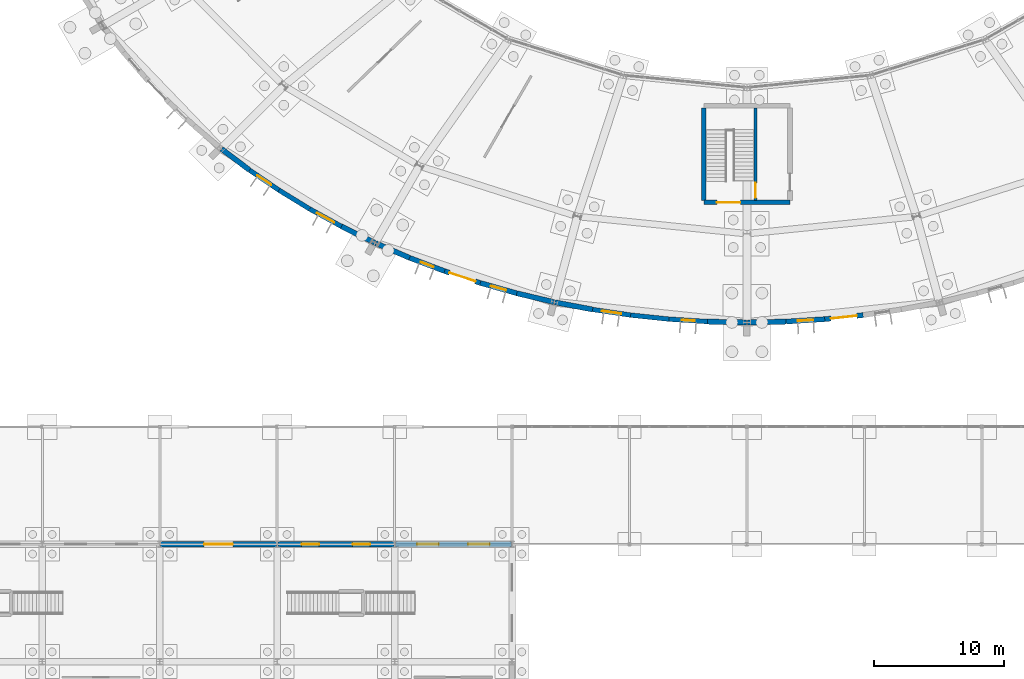
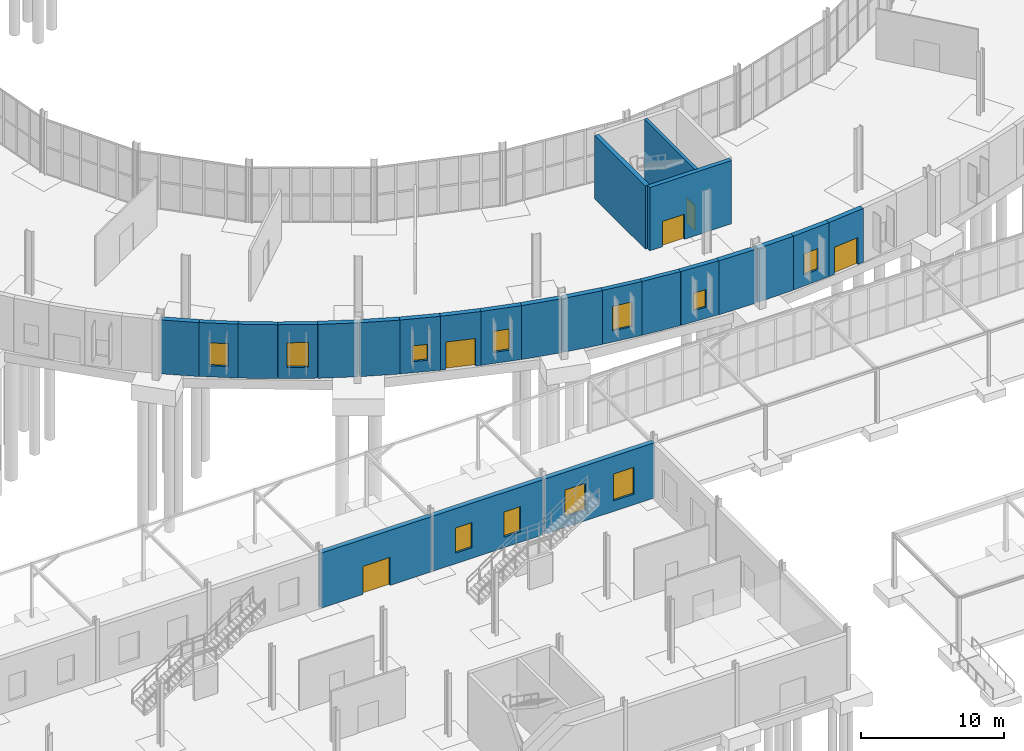
# One storey, part 84 of 118: 24 walls, 11 windows, 5 doors, 16 openings.
"""IFC4 building model written with IfcOpenShell, lengths in metres."""

from ifc_helpers import new_model, si_unit, direction, frame, frame_2d, origin, place, context, subcontext, project, spatial, rectangle, extrude, material, layer, layer_set, type_object, element, fill, save


model = new_model("IFC4")

# Units and contexts
model_context = context("Model", 3, precision=1e-05, world=origin(), true_north=direction((0.0, 1.0)))
body_context = subcontext(model_context, "Body", "Model", "MODEL_VIEW")
ifc_project = project(units=[si_unit("LENGTHUNIT", "METRE"), si_unit("AREAUNIT", "SQUARE_METRE"), si_unit("VOLUMEUNIT", "CUBIC_METRE"), si_unit("PLANEANGLEUNIT", "RADIAN"), si_unit("MASSUNIT", "GRAM", prefix="KILO")], contexts=[model_context])

# Site, building, storey
site_placement = place(None, origin())
site = spatial("IfcSite", under=ifc_project, at=site_placement, CompositionType="ELEMENT")
building_placement = place(site_placement, origin())
building = spatial("IfcBuilding", under=site, at=building_placement, Name="Kildeholm Park Wholesale Market", CompositionType="ELEMENT")
storey_placement = place(building_placement, origin())
storey = spatial("IfcBuildingStorey", under=building, at=storey_placement, Name="L00", CompositionType="ELEMENT", Elevation=0.0)

# Wall, opening, window
ifc_material_1 = material(Name="Red Danish clinker brick masonry with Concrete C35/45 backing", Category="masonry")
ifc_layer_1 = layer(ifc_material_1, 0.360107421875)
ifc_layer_set_1 = layer_set([ifc_layer_1], Name="Red Danish clinker brick masonry with Concrete C35/45 backing")
wall_type_1 = type_object("IfcWallType", Name="Exterior wall W-EX1 360 mm", PredefinedType="SOLIDWALL", material=ifc_layer_set_1)
wall_1_placement = place(storey_placement, frame((60.87890625, 55.673095703125, 0.0), z_axis=(0.0, 0.0, 1.0), x_axis=(0.826422172457, -0.563050968271, 0.0)))
wall_1 = element("IfcWall", 1, at=wall_1_placement, inside=storey, type_object=wall_type_1, Name="Produce ring outer wall 16.2 WL-0127", PredefinedType="SOLIDWALL", context=body_context, shape_type="SweptSolid", body=[
    extrude(rectangle(XDim=2.72998046875, YDim=0.360107421875, at=frame_2d((1.364990234375, 0.0))), origin(), (0.0, 0.0, 1.0), 4.60009765625),
])
opening_1_placement = place(wall_1_placement, frame((0.715087890625, 0.0, 0.949951171875)))
opening_1 = element("IfcOpeningElement", 2, at=opening_1_placement, cuts=wall_1, Name="Opening WN-20", PredefinedType="OPENING", context=body_context, shape_type="SweptSolid", body=[
    extrude(rectangle(XDim=1.300048828125, YDim=1.949951171875, at=frame_2d((0.64990234375, 0.97509765625))), frame((0.0, 0.18994140625, 0.0), z_axis=(0.0, -1.0, 0.0), x_axis=(1.0, 0.0, 0.0)), (0.0, 0.0, 1.0), 0.380126953125),
])
ifc_material_2 = material(Name="Thermally broken aluminium and triple-glazed low-E glass", Category="aluminium")
window_type_1 = type_object("IfcWindowType", Name="Window WN-20 1300x1950", PartitioningType="DOUBLE_PANEL_VERTICAL", PredefinedType="WINDOW", material=ifc_material_2)
window_1_placement = place(opening_1_placement, origin())
window_1 = element("IfcWindow", 3, at=window_1_placement, inside=storey, type_object=window_type_1, Name="Produce hall arcade window 16.1 WIN-0027", OverallHeight=1.949951171875, OverallWidth=1.300048828125, PartitioningType="SINGLE_PANEL", PredefinedType="WINDOW", context=body_context, shape_type="SweptSolid", body=[
    extrude(rectangle(XDim=1.300048828125, YDim=1.949951171875, at=frame_2d((0.64990234375, 0.97509765625))), frame((0.0, 0.030029296875, 0.0), z_axis=(0.0, -1.0, 0.0), x_axis=(1.0, 0.0, 0.0)), (0.0, 0.0, 1.0), 0.06005859375),
])
fill(opening_1, window_1)

# Wall
wall_2_placement = place(storey_placement, frame((63.135009765625, 54.135986328125, 0.0), z_axis=(0.0, 0.0, 1.0), x_axis=(0.852743581926, -0.522329765075, 0.0)))
element("IfcWall", 4, at=wall_2_placement, inside=storey, type_object=wall_type_1, Name="Produce ring outer wall 16.3 WL-0128", PredefinedType="SOLIDWALL", context=body_context, shape_type="SweptSolid", body=[
    extrude(rectangle(XDim=2.760498046875, YDim=0.360107421875, at=frame_2d((1.38037109375, 0.0))), origin(), (0.0, 0.0, 1.0), 4.60009765625),
])

# Wall, opening, window
wall_3_placement = place(storey_placement, frame((65.489013671875, 52.694091796875, 0.0), z_axis=(0.0, 0.0, 1.0), x_axis=(0.876631400762, -0.481162537193, 0.0)))
wall_3 = element("IfcWall", 5, at=wall_3_placement, inside=storey, type_object=wall_type_1, Name="Produce ring outer wall 16.4 WL-0129", PredefinedType="SOLIDWALL", context=body_context, shape_type="SweptSolid", body=[
    extrude(rectangle(XDim=2.7890625, YDim=0.360107421875, at=frame_2d((1.39453125, 0.0))), origin(), (0.0, 0.0, 1.0), 4.60009765625),
])
opening_2_placement = place(wall_3_placement, frame((0.64501953125, 0.0, 0.949951171875)))
opening_2 = element("IfcOpeningElement", 6, at=opening_2_placement, cuts=wall_3, Name="Opening WN-01", PredefinedType="OPENING", context=body_context, shape_type="SweptSolid", body=[
    extrude(rectangle(XDim=1.5, YDim=2.10009765625, at=frame_2d((0.75, 1.050048828125))), frame((0.0, 0.18994140625, 0.0), z_axis=(0.0, -1.0, 0.0), x_axis=(1.0, 0.0, 0.0)), (0.0, 0.0, 1.0), 0.380126953125),
])
window_type_2 = type_object("IfcWindowType", Name="Window WN-01 1500x2100", PartitioningType="DOUBLE_PANEL_VERTICAL", PredefinedType="WINDOW", material=ifc_material_2)
window_2_placement = place(opening_2_placement, origin())
window_2 = element("IfcWindow", 7, at=window_2_placement, inside=storey, type_object=window_type_2, Name="Produce hall arcade window 16.3 WIN-0028", OverallHeight=2.10009765625, OverallWidth=1.5, PartitioningType="SINGLE_PANEL", PredefinedType="WINDOW", context=body_context, shape_type="SweptSolid", body=[
    extrude(rectangle(XDim=1.5, YDim=2.10009765625, at=frame_2d((0.75, 1.050048828125))), frame((0.0, 0.030029296875, 0.0), z_axis=(0.0, -1.0, 0.0), x_axis=(1.0, 0.0, 0.0)), (0.0, 0.0, 1.0), 0.06005859375),
])
fill(opening_2, window_2)

wall_4_placement = place(storey_placement, frame((87.173095703125, 44.989990234375, 0.0), z_axis=(0.0, 0.0, 1.0), x_axis=(0.98927134979, -0.146089686444, 0.0)))
wall_4 = element("IfcWall", 8, at=wall_4_placement, inside=storey, type_object=wall_type_1, Name="Produce ring outer wall 18.2 WL-0145", PredefinedType="SOLIDWALL", context=body_context, shape_type="SweptSolid", body=[
    extrude(rectangle(XDim=2.94970703125, YDim=0.360107421875, at=frame_2d((1.474853515625, 0.0))), origin(), (0.0, 0.0, 1.0), 4.60009765625),
])
opening_3_placement = place(wall_4_placement, frame((0.72509765625, 0.0, 0.949951171875)))
opening_3 = element("IfcOpeningElement", 9, at=opening_3_placement, cuts=wall_4, Name="Opening WN-01", PredefinedType="OPENING", context=body_context, shape_type="SweptSolid", body=[
    extrude(rectangle(XDim=1.5, YDim=2.10009765625, at=frame_2d((0.75, 1.050048828125))), frame((0.0, 0.18994140625, 0.0), z_axis=(0.0, -1.0, 0.0), x_axis=(1.0, 0.0, 0.0)), (0.0, 0.0, 1.0), 0.380126953125),
])
window_3_placement = place(opening_3_placement, origin())
window_3 = element("IfcWindow", 10, at=window_3_placement, inside=storey, type_object=window_type_2, Name="Produce hall arcade window 18.1 WIN-0031", OverallHeight=2.10009765625, OverallWidth=1.5, PartitioningType="SINGLE_PANEL", PredefinedType="WINDOW", context=body_context, shape_type="SweptSolid", body=[
    extrude(rectangle(XDim=1.5, YDim=2.10009765625, at=frame_2d((0.75, 1.050048828125))), frame((0.0, 0.030029296875, 0.0), z_axis=(0.0, -1.0, 0.0), x_axis=(1.0, 0.0, 0.0)), (0.0, 0.0, 1.0), 0.06005859375),
])
fill(opening_3, window_3)

# Wall
wall_5_placement = place(storey_placement, frame((90.091064453125, 44.55908203125, 0.0), z_axis=(0.0, 0.0, 1.0), x_axis=(0.994529838675, -0.10445286011, 0.0)))
element("IfcWall", 11, at=wall_5_placement, inside=storey, type_object=wall_type_1, Name="Produce ring outer wall 18.3 WL-0146", PredefinedType="SOLIDWALL", context=body_context, shape_type="SweptSolid", body=[
    extrude(rectangle(XDim=2.958984375, YDim=0.360107421875, at=frame_2d((1.4794921875, 0.0))), origin(), (0.0, 0.0, 1.0), 4.60009765625),
])

# Wall, opening, window
wall_6_placement = place(storey_placement, frame((93.033935546875, 44.25, 0.0), z_axis=(0.0, 0.0, 1.0), x_axis=(0.998008759952, -0.063075471132, 0.0)))
wall_6 = element("IfcWall", 12, at=wall_6_placement, inside=storey, type_object=wall_type_1, Name="Produce ring outer wall 18.4 WL-0147", PredefinedType="SOLIDWALL", context=body_context, shape_type="SweptSolid", body=[
    extrude(rectangle(XDim=2.96484375, YDim=0.360107421875, at=frame_2d((1.482421875, 0.0))), origin(), (0.0, 0.0, 1.0), 4.60009765625),
])
opening_4_placement = place(wall_6_placement, frame((0.98193359375, 0.0, 0.949951171875)))
opening_4 = element("IfcOpeningElement", 13, at=opening_4_placement, cuts=wall_6, Name="Opening WN-09", PredefinedType="OPENING", context=body_context, shape_type="SweptSolid", body=[
    extrude(rectangle(XDim=1.0, YDim=1.5, at=frame_2d((0.5, 0.75))), frame((0.0, 0.18994140625, 0.0), z_axis=(0.0, -1.0, 0.0), x_axis=(1.0, 0.0, 0.0)), (0.0, 0.0, 1.0), 0.380126953125),
])
window_type_3 = type_object("IfcWindowType", Name="Window WN-09 1000x1500", PartitioningType="SINGLE_PANEL", PredefinedType="WINDOW", material=ifc_material_2)
window_4_placement = place(opening_4_placement, origin())
window_4 = element("IfcWindow", 14, at=window_4_placement, inside=storey, type_object=window_type_3, Name="Produce hall arcade window 18.3 WIN-0032", OverallHeight=1.5, OverallWidth=1.0, PartitioningType="SINGLE_PANEL", PredefinedType="WINDOW", context=body_context, shape_type="SweptSolid", body=[
    extrude(rectangle(XDim=1.0, YDim=1.5, at=frame_2d((0.5, 0.75))), frame((0.0, 0.030029296875, 0.0), z_axis=(0.0, -1.0, 0.0), x_axis=(1.0, 0.0, 0.0)), (0.0, 0.0, 1.0), 0.06005859375),
])
fill(opening_4, window_4)

# Walls
ifc_material_3 = material(Name="Bornholm granite stone plinth and Concrete C35/45 wall", Category="masonry")
ifc_layer_2 = layer(ifc_material_3, 0.39990234375)
ifc_layer_set_2 = layer_set([ifc_layer_2], Name="Bornholm granite stone plinth and Concrete C35/45 wall")
wall_type_2 = type_object("IfcWallType", Name="Exterior wall W-EX2 400 mm", PredefinedType="SOLIDWALL", material=ifc_layer_set_2)
wall_7_placement = place(storey_placement, frame((58.72509765625, 57.302001953125, 0.0), z_axis=(0.0, 0.0, 1.0), x_axis=(0.797585068324, -0.603206481054, 0.0)))
element("IfcWall", 15, at=wall_7_placement, inside=storey, type_object=wall_type_2, Name="Produce ring outer wall 16.1 WL-0126", PredefinedType="SOLIDWALL", context=body_context, shape_type="SweptSolid", body=[
    extrude(rectangle(XDim=2.700439453125, YDim=0.39990234375, at=frame_2d((1.35009765625, 0.0))), origin(), (0.0, 0.0, 1.0), 4.60009765625),
])
wall_8_placement = place(storey_placement, frame((67.93408203125, 51.35205078125, 0.0), z_axis=(0.0, 0.0, 1.0), x_axis=(0.898004688797, -0.439985884886, 0.0)))
element("IfcWall", 16, at=wall_8_placement, inside=storey, type_object=wall_type_2, Name="Produce ring outer wall 16.5 WL-0130", PredefinedType="SOLIDWALL", context=body_context, shape_type="SweptSolid", body=[
    extrude(rectangle(XDim=2.81591796875, YDim=0.39990234375, at=frame_2d((1.407958984375, 0.0))), origin(), (0.0, 0.0, 1.0), 4.60009765625),
])
wall_9_placement = place(storey_placement, frame((70.535888671875, 50.0791015625, 0.0), z_axis=(0.0, 0.0, 1.0), x_axis=(0.917744542698, -0.397171190229, 0.0)))
element("IfcWall", 17, at=wall_9_placement, inside=storey, type_object=wall_type_2, Name="Produce ring outer wall 17.1 WL-0135", PredefinedType="SOLIDWALL", context=body_context, shape_type="SweptSolid", body=[
    extrude(rectangle(XDim=2.843017578125, YDim=0.39990234375, at=frame_2d((1.42138671875, 0.0))), origin(), (0.0, 0.0, 1.0), 4.60009765625),
])
wall_10_placement = place(storey_placement, frame((81.363037109375, 46.23291015625, 0.0), z_axis=(0.0, 0.0, 1.0), x_axis=(0.973061058114, -0.230547559481, 0.0)))
element("IfcWall", 18, at=wall_10_placement, inside=storey, type_object=wall_type_2, Name="Produce ring outer wall 17.5 WL-0139", PredefinedType="SOLIDWALL", context=body_context, shape_type="SweptSolid", body=[
    extrude(rectangle(XDim=2.922607421875, YDim=0.39990234375, at=frame_2d((1.46142578125, 0.0))), origin(), (0.0, 0.0, 1.0), 4.60009765625),
])
wall_11_placement = place(storey_placement, frame((84.285888671875, 45.5419921875, 0.0), z_axis=(0.0, 0.0, 1.0), x_axis=(0.982209662349, -0.187787590612, 0.0)))
element("IfcWall", 19, at=wall_11_placement, inside=storey, type_object=wall_type_2, Name="Produce ring outer wall 18.1 WL-0144", PredefinedType="SOLIDWALL", context=body_context, shape_type="SweptSolid", body=[
    extrude(rectangle(XDim=2.939453125, YDim=0.39990234375, at=frame_2d((1.4697265625, 0.0))), origin(), (0.0, 0.0, 1.0), 4.60009765625),
])
for number, where, z_axis, x_axis, name in (
    (20, (95.992919921875, 44.06298828125, 0.0), (0.0, 0.0, 1.0), (0.999774733997, -0.021224543847, 0.0), "Produce ring outer wall 18.5 WL-0148"),
    (21, (99.0400390625, 44.0, 0.0), (0.0, 0.0, 1.0), (0.999774733997, 0.021224543847, 0.0), "Produce ring outer wall 19.1 WL-0153"),
):
    element("IfcWall", number, at=place(storey_placement, frame(where, z_axis=z_axis, x_axis=x_axis)), inside=storey, type_object=wall_type_2, Name=name, PredefinedType="SOLIDWALL", context=body_context, shape_type="SweptSolid", body=[
        extrude(rectangle(XDim=2.9677734375, YDim=0.39990234375, at=frame_2d((1.48388671875, 0.0))), origin(), (0.0, 0.0, 1.0), 4.60009765625),
    ])

# Wall, opening, door
wall_12_placement = place(storey_placement, frame((54.06005859375, 27.0, 0.0), z_axis=(0.0, 0.0, 1.0), x_axis=(1.0, 0.0, 0.0)))
wall_12 = element("IfcWall", 22, at=wall_12_placement, inside=storey, type_object=wall_type_2, Name="Exterior wall V5W-L00-N.6 WL-0508", PredefinedType="SOLIDWALL", context=body_context, shape_type="SweptSolid", body=[
    extrude(rectangle(XDim=8.8798828125, YDim=0.39990234375, at=frame_2d((4.43994140625, 0.0))), origin(), (0.0, 0.0, 1.0), 4.699951171875),
])
opening_5_placement = place(wall_12_placement, frame((3.340087890625, 0.0, 0.0)))
opening_5 = element("IfcOpeningElement", 23, at=opening_5_placement, cuts=wall_12, Name="Opening D-EX03", PredefinedType="OPENING", context=body_context, shape_type="SweptSolid", body=[
    extrude(rectangle(XDim=2.199951171875, YDim=2.39990234375, at=frame_2d((1.10009765625, 1.199951171875))), frame((0.0, 0.2099609375, 0.0), z_axis=(0.0, -1.0, 0.0), x_axis=(1.0, 0.0, 0.0)), (0.0, 0.0, 1.0), 0.419921875),
])
ifc_material_4 = material(Name="Anodised aluminium and safety glass", Category="aluminium")
door_type_1 = type_object("IfcDoorType", Name="Exterior door D-EX03 2200x2400", OperationType="NOTDEFINED", PredefinedType="DOOR", material=ifc_material_4)
door_1_placement = place(opening_5_placement, origin())
door_1 = element("IfcDoor", 24, at=door_1_placement, inside=storey, type_object=door_type_1, Name="Door V5W-L00-N.6 DR-0054 WL-0508", OperationType="DOUBLE_DOOR_SINGLE_SWING", OverallHeight=2.39990234375, OverallWidth=2.199951171875, PredefinedType="DOOR", context=body_context, shape_type="SweptSolid", body=[
    extrude(rectangle(XDim=2.199951171875, YDim=2.39990234375, at=frame_2d((1.10009765625, 1.199951171875))), frame((0.0, 0.02490234375, 0.0), z_axis=(0.0, -1.0, 0.0), x_axis=(1.0, 0.0, 0.0)), (0.0, 0.0, 1.0), 0.050048828125),
])
fill(opening_5, door_1)

# Wall, openings, windows
wall_13_placement = place(storey_placement, frame((63.06005859375, 27.0, 0.0), z_axis=(0.0, 0.0, 1.0), x_axis=(1.0, 0.0, 0.0)))
wall_13 = element("IfcWall", 25, at=wall_13_placement, inside=storey, type_object=wall_type_2, Name="Exterior wall V5W-L00-N.7 WL-0509", PredefinedType="SOLIDWALL", context=body_context, shape_type="SweptSolid", body=[
    extrude(rectangle(XDim=8.8798828125, YDim=0.39990234375, at=frame_2d((4.43994140625, 0.0))), origin(), (0.0, 0.0, 1.0), 4.699951171875),
])
opening_6_placement = place(wall_13_placement, frame((1.81103515625, 0.0, 0.89990234375)))
opening_6 = element("IfcOpeningElement", 26, at=opening_6_placement, cuts=wall_13, Name="Opening WN-33", PredefinedType="OPENING", context=body_context, shape_type="SweptSolid", body=[
    extrude(rectangle(XDim=1.35009765625, YDim=2.14990234375, at=frame_2d((0.675048828125, 1.074951171875))), frame((0.0, 0.2099609375, 0.0), z_axis=(0.0, -1.0, 0.0), x_axis=(1.0, 0.0, 0.0)), (0.0, 0.0, 1.0), 0.419921875),
])
opening_7_placement = place(wall_13_placement, frame((5.718994140625, 0.0, 0.89990234375)))
opening_7 = element("IfcOpeningElement", 27, at=opening_7_placement, cuts=wall_13, Name="Opening WN-33", PredefinedType="OPENING", context=body_context, shape_type="SweptSolid", body=[
    extrude(rectangle(XDim=1.35009765625, YDim=2.14990234375, at=frame_2d((0.675048828125, 1.074951171875))), frame((0.0, 0.2099609375, 0.0), z_axis=(0.0, -1.0, 0.0), x_axis=(1.0, 0.0, 0.0)), (0.0, 0.0, 1.0), 0.419921875),
])
window_type_4 = type_object("IfcWindowType", Name="Window WN-33 1350x2150", PartitioningType="DOUBLE_PANEL_VERTICAL", PredefinedType="WINDOW", material=ifc_material_2)
window_5_placement = place(opening_6_placement, origin())
window_5 = element("IfcWindow", 28, at=window_5_placement, inside=storey, type_object=window_type_4, Name="Window V5W-L00-N.7.1 WIN-0295", OverallHeight=2.14990234375, OverallWidth=1.35009765625, PartitioningType="SINGLE_PANEL", PredefinedType="WINDOW", context=body_context, shape_type="SweptSolid", body=[
    extrude(rectangle(XDim=1.35009765625, YDim=2.14990234375, at=frame_2d((0.675048828125, 1.074951171875))), frame((0.0, 0.030029296875, 0.0), z_axis=(0.0, -1.0, 0.0), x_axis=(1.0, 0.0, 0.0)), (0.0, 0.0, 1.0), 0.06005859375),
])
fill(opening_6, window_5)
window_6_placement = place(opening_7_placement, origin())
window_6 = element("IfcWindow", 29, at=window_6_placement, inside=storey, type_object=window_type_4, Name="Window V5W-L00-N.7.2 WIN-0296", OverallHeight=2.14990234375, OverallWidth=1.35009765625, PartitioningType="SINGLE_PANEL", PredefinedType="WINDOW", context=body_context, shape_type="SweptSolid", body=[
    extrude(rectangle(XDim=1.35009765625, YDim=2.14990234375, at=frame_2d((0.675048828125, 1.074951171875))), frame((0.0, 0.030029296875, 0.0), z_axis=(0.0, -1.0, 0.0), x_axis=(1.0, 0.0, 0.0)), (0.0, 0.0, 1.0), 0.06005859375),
])
fill(opening_7, window_6)

wall_14_placement = place(storey_placement, frame((72.06005859375, 27.0, 0.0), z_axis=(0.0, 0.0, 1.0), x_axis=(1.0, 0.0, 0.0)))
wall_14 = element("IfcWall", 30, at=wall_14_placement, inside=storey, type_object=wall_type_2, Name="Exterior wall V5W-L00-N.8 WL-0510", PredefinedType="SOLIDWALL", context=body_context, shape_type="SweptSolid", body=[
    extrude(rectangle(XDim=8.8798828125, YDim=0.39990234375, at=frame_2d((4.43994140625, 0.0))), origin(), (0.0, 0.0, 1.0), 4.699951171875),
])
opening_8_placement = place(wall_14_placement, frame((1.660888671875, 0.0, 0.89990234375)))
opening_8 = element("IfcOpeningElement", 31, at=opening_8_placement, cuts=wall_14, Name="Opening WN-34", PredefinedType="OPENING", context=body_context, shape_type="SweptSolid", body=[
    extrude(rectangle(XDim=1.64990234375, YDim=2.300048828125, at=frame_2d((0.824951171875, 1.14990234375))), frame((0.0, 0.2099609375, 0.0), z_axis=(0.0, -1.0, 0.0), x_axis=(1.0, 0.0, 0.0)), (0.0, 0.0, 1.0), 0.419921875),
])
opening_9_placement = place(wall_14_placement, frame((5.569091796875, 0.0, 0.89990234375)))
opening_9 = element("IfcOpeningElement", 32, at=opening_9_placement, cuts=wall_14, Name="Opening WN-34", PredefinedType="OPENING", context=body_context, shape_type="SweptSolid", body=[
    extrude(rectangle(XDim=1.64990234375, YDim=2.300048828125, at=frame_2d((0.824951171875, 1.14990234375))), frame((0.0, 0.2099609375, 0.0), z_axis=(0.0, -1.0, 0.0), x_axis=(1.0, 0.0, 0.0)), (0.0, 0.0, 1.0), 0.419921875),
])
window_type_5 = type_object("IfcWindowType", Name="Window WN-34 1650x2300", PartitioningType="DOUBLE_PANEL_VERTICAL", PredefinedType="WINDOW", material=ifc_material_2)
window_7_placement = place(opening_8_placement, origin())
window_7 = element("IfcWindow", 33, at=window_7_placement, inside=storey, type_object=window_type_5, Name="Window V5W-L00-N.8.1 WIN-0297", OverallHeight=2.300048828125, OverallWidth=1.64990234375, PartitioningType="SINGLE_PANEL", PredefinedType="WINDOW", context=body_context, shape_type="SweptSolid", body=[
    extrude(rectangle(XDim=1.64990234375, YDim=2.300048828125, at=frame_2d((0.824951171875, 1.14990234375))), frame((0.0, 0.030029296875, 0.0), z_axis=(0.0, -1.0, 0.0), x_axis=(1.0, 0.0, 0.0)), (0.0, 0.0, 1.0), 0.06005859375),
])
fill(opening_8, window_7)
window_8_placement = place(opening_9_placement, origin())
window_8 = element("IfcWindow", 34, at=window_8_placement, inside=storey, type_object=window_type_5, Name="Window V5W-L00-N.8.2 WIN-0298", OverallHeight=2.300048828125, OverallWidth=1.64990234375, PartitioningType="SINGLE_PANEL", PredefinedType="WINDOW", context=body_context, shape_type="SweptSolid", body=[
    extrude(rectangle(XDim=1.64990234375, YDim=2.300048828125, at=frame_2d((0.824951171875, 1.14990234375))), frame((0.0, 0.030029296875, 0.0), z_axis=(0.0, -1.0, 0.0), x_axis=(1.0, 0.0, 0.0)), (0.0, 0.0, 1.0), 0.06005859375),
])
fill(opening_9, window_8)

# Wall, opening, window
ifc_material_5 = material(Name="Bornholm granite and ceramic-banded hall facade wall", Category="masonry")
ifc_layer_3 = layer(ifc_material_5, 0.389892578125)
ifc_layer_set_3 = layer_set([ifc_layer_3], Name="Bornholm granite and ceramic-banded hall facade wall")
wall_type_3 = type_object("IfcWallType", Name="Exterior wall W-EX5 390 mm", PredefinedType="SOLIDWALL", material=ifc_layer_set_3)
wall_15_placement = place(storey_placement, frame((73.14501953125, 48.949951171875, 0.0), z_axis=(0.0, 0.0, 1.0), x_axis=(0.934663038469, -0.355534814779, 0.0)))
wall_15 = element("IfcWall", 35, at=wall_15_placement, inside=storey, type_object=wall_type_3, Name="Produce ring outer wall 17.2 WL-0136", PredefinedType="SOLIDWALL", context=body_context, shape_type="SweptSolid", body=[
    extrude(rectangle(XDim=2.8662109375, YDim=0.389892578125, at=frame_2d((1.43310546875, 0.0))), origin(), (0.0, 0.0, 1.0), 4.60009765625),
])
opening_10_placement = place(wall_15_placement, frame((0.907958984375, 0.0, 0.949951171875)))
opening_10 = element("IfcOpeningElement", 36, at=opening_10_placement, cuts=wall_15, Name="Opening WN-26", PredefinedType="OPENING", context=body_context, shape_type="SweptSolid", body=[
    extrude(rectangle(XDim=1.050048828125, YDim=1.35009765625, at=frame_2d((0.52490234375, 0.675048828125))), frame((0.0, 0.204833984375, 0.0), z_axis=(0.0, -1.0, 0.0), x_axis=(1.0, 0.0, 0.0)), (0.0, 0.0, 1.0), 0.409912109375),
])
window_type_6 = type_object("IfcWindowType", Name="Window WN-26 1050x1350", PartitioningType="SINGLE_PANEL", PredefinedType="WINDOW", material=ifc_material_2)
window_9_placement = place(opening_10_placement, origin())
window_9 = element("IfcWindow", 37, at=window_9_placement, inside=storey, type_object=window_type_6, Name="Produce hall arcade window 17.1 WIN-0029", OverallHeight=1.35009765625, OverallWidth=1.050048828125, PartitioningType="SINGLE_PANEL", PredefinedType="WINDOW", context=body_context, shape_type="SweptSolid", body=[
    extrude(rectangle(XDim=1.050048828125, YDim=1.35009765625, at=frame_2d((0.52490234375, 0.675048828125))), frame((0.0, 0.030029296875, 0.0), z_axis=(0.0, -1.0, 0.0), x_axis=(1.0, 0.0, 0.0)), (0.0, 0.0, 1.0), 0.06005859375),
])
fill(opening_10, window_9)

# Wall, opening, door
wall_16_placement = place(storey_placement, frame((75.823974609375, 47.930908203125, 0.0), z_axis=(0.0, 0.0, 1.0), x_axis=(0.949374423455, -0.314146787489, 0.0)))
wall_16 = element("IfcWall", 38, at=wall_16_placement, inside=storey, type_object=wall_type_3, Name="Produce ring outer wall 17.3 WL-0137", PredefinedType="SOLIDWALL", context=body_context, shape_type="SweptSolid", body=[
    extrude(rectangle(XDim=2.88720703125, YDim=0.389892578125, at=frame_2d((1.443603515625, 0.0))), origin(), (0.0, 0.0, 1.0), 4.60009765625),
])
opening_11_placement = place(wall_16_placement, frame((0.39404296875, 0.0, 0.0)))
opening_11 = element("IfcOpeningElement", 39, at=opening_11_placement, cuts=wall_16, Name="Opening D-EX10", PredefinedType="OPENING", context=body_context, shape_type="SweptSolid", body=[
    extrude(rectangle(XDim=2.10009765625, YDim=2.35009765625, at=frame_2d((1.050048828125, 1.175048828125))), frame((0.0, 0.204833984375, 0.0), z_axis=(0.0, -1.0, 0.0), x_axis=(1.0, 0.0, 0.0)), (0.0, 0.0, 1.0), 0.409912109375),
])
ifc_material_6 = material(Name="Anodised aluminium park colonnade door", Category="aluminium")
door_type_2 = type_object("IfcDoorType", Name="Exterior door D-EX10 2100x2350", OperationType="NOTDEFINED", PredefinedType="DOOR", material=ifc_material_6)
door_2_placement = place(opening_11_placement, frame((2.10009765625, 0.0, 0.0), z_axis=(0.0, 0.0, 1.0), x_axis=(-1.0, 0.0, 0.0)))
door_2 = element("IfcDoor", 40, at=door_2_placement, inside=storey, type_object=door_type_2, Name="Produce hall public exit 17 DR-0007 WL-0137", OperationType="DOUBLE_DOOR_SINGLE_SWING", OverallHeight=2.35009765625, OverallWidth=2.10009765625, PredefinedType="DOOR", context=body_context, shape_type="SweptSolid", body=[
    extrude(rectangle(XDim=2.10009765625, YDim=2.35009765625, at=frame_2d((1.050048828125, 1.175048828125))), frame((0.0, 0.02490234375, 0.0), z_axis=(0.0, -1.0, 0.0), x_axis=(1.0, 0.0, 0.0)), (0.0, 0.0, 1.0), 0.050048828125),
])
fill(opening_11, door_2)

# Wall, opening, window
wall_17_placement = place(storey_placement, frame((78.56494140625, 47.02392578125, 0.0), z_axis=(0.0, 0.0, 1.0), x_axis=(0.962286948756, -0.272036446555, 0.0)))
wall_17 = element("IfcWall", 41, at=wall_17_placement, inside=storey, type_object=wall_type_3, Name="Produce ring outer wall 17.4 WL-0138", PredefinedType="SOLIDWALL", context=body_context, shape_type="SweptSolid", body=[
    extrude(rectangle(XDim=2.90771484375, YDim=0.389892578125, at=frame_2d((1.453857421875, 0.0))), origin(), (0.0, 0.0, 1.0), 4.60009765625),
])
opening_12_placement = place(wall_17_placement, frame((0.85400390625, 0.0, 0.949951171875)))
opening_12 = element("IfcOpeningElement", 42, at=opening_12_placement, cuts=wall_17, Name="Opening WN-05", PredefinedType="OPENING", context=body_context, shape_type="SweptSolid", body=[
    extrude(rectangle(XDim=1.199951171875, YDim=1.800048828125, at=frame_2d((0.60009765625, 0.89990234375))), frame((0.0, 0.204833984375, 0.0), z_axis=(0.0, -1.0, 0.0), x_axis=(1.0, 0.0, 0.0)), (0.0, 0.0, 1.0), 0.409912109375),
])
window_type_7 = type_object("IfcWindowType", Name="Window WN-05 1200x1800", PartitioningType="SINGLE_PANEL", PredefinedType="WINDOW", material=ifc_material_2)
window_10_placement = place(opening_12_placement, origin())
window_10 = element("IfcWindow", 43, at=window_10_placement, inside=storey, type_object=window_type_7, Name="Produce hall arcade window 17.3 WIN-0030", OverallHeight=1.800048828125, OverallWidth=1.199951171875, PartitioningType="SINGLE_PANEL", PredefinedType="WINDOW", context=body_context, shape_type="SweptSolid", body=[
    extrude(rectangle(XDim=1.199951171875, YDim=1.800048828125, at=frame_2d((0.60009765625, 0.89990234375))), frame((0.0, 0.030029296875, 0.0), z_axis=(0.0, -1.0, 0.0), x_axis=(1.0, 0.0, 0.0)), (0.0, 0.0, 1.0), 0.06005859375),
])
fill(opening_12, window_10)

wall_18_placement = place(storey_placement, frame((102.007080078125, 44.06298828125, 0.0), z_axis=(0.0, 0.0, 1.0), x_axis=(0.998008759952, 0.063075471132, 0.0)))
wall_18 = element("IfcWall", 44, at=wall_18_placement, inside=storey, type_object=wall_type_3, Name="Produce ring outer wall 19.2 WL-0154", PredefinedType="SOLIDWALL", context=body_context, shape_type="SweptSolid", body=[
    extrude(rectangle(XDim=2.96484375, YDim=0.389892578125, at=frame_2d((1.482421875, 0.0))), origin(), (0.0, 0.0, 1.0), 4.60009765625),
])
opening_13_placement = place(wall_18_placement, frame((0.882080078125, 0.0, 0.949951171875)))
opening_13 = element("IfcOpeningElement", 45, at=opening_13_placement, cuts=wall_18, Name="Opening WN-05", PredefinedType="OPENING", context=body_context, shape_type="SweptSolid", body=[
    extrude(rectangle(XDim=1.199951171875, YDim=1.800048828125, at=frame_2d((0.60009765625, 0.89990234375))), frame((0.0, 0.204833984375, 0.0), z_axis=(0.0, -1.0, 0.0), x_axis=(1.0, 0.0, 0.0)), (0.0, 0.0, 1.0), 0.409912109375),
])
window_11_placement = place(opening_13_placement, origin())
window_11 = element("IfcWindow", 46, at=window_11_placement, inside=storey, type_object=window_type_7, Name="Produce hall arcade window 19.1 WIN-0033", OverallHeight=1.800048828125, OverallWidth=1.199951171875, PartitioningType="SINGLE_PANEL", PredefinedType="WINDOW", context=body_context, shape_type="SweptSolid", body=[
    extrude(rectangle(XDim=1.199951171875, YDim=1.800048828125, at=frame_2d((0.60009765625, 0.89990234375))), frame((0.0, 0.030029296875, 0.0), z_axis=(0.0, -1.0, 0.0), x_axis=(1.0, 0.0, 0.0)), (0.0, 0.0, 1.0), 0.06005859375),
])
fill(opening_13, window_11)

# Wall, opening, door
wall_19_placement = place(storey_placement, frame((104.966064453125, 44.25, 0.0), z_axis=(0.0, 0.0, 1.0), x_axis=(0.994529838675, 0.10445286011, 0.0)))
wall_19 = element("IfcWall", 47, at=wall_19_placement, inside=storey, type_object=wall_type_3, Name="Produce ring outer wall 19.3 WL-0155", PredefinedType="SOLIDWALL", context=body_context, shape_type="SweptSolid", body=[
    extrude(rectangle(XDim=2.958984375, YDim=0.389892578125, at=frame_2d((1.4794921875, 0.0))), origin(), (0.0, 0.0, 1.0), 4.60009765625),
])
opening_14_placement = place(wall_19_placement, frame((0.47998046875, 0.0, 0.0)))
opening_14 = element("IfcOpeningElement", 48, at=opening_14_placement, cuts=wall_19, Name="Opening D-EX02", PredefinedType="OPENING", context=body_context, shape_type="SweptSolid", body=[
    extrude(rectangle(XDim=2.0, YDim=2.300048828125, at=frame_2d((1.0, 1.14990234375))), frame((0.0, 0.204833984375, 0.0), z_axis=(0.0, -1.0, 0.0), x_axis=(1.0, 0.0, 0.0)), (0.0, 0.0, 1.0), 0.409912109375),
])
door_type_3 = type_object("IfcDoorType", Name="Exterior door D-EX02 2000x2300", OperationType="NOTDEFINED", PredefinedType="DOOR", material=ifc_material_4)
door_3_placement = place(opening_14_placement, frame((2.0, 0.0, 0.0), z_axis=(0.0, 0.0, 1.0), x_axis=(-1.0, 0.0, 0.0)))
door_3 = element("IfcDoor", 49, at=door_3_placement, inside=storey, type_object=door_type_3, Name="Produce hall public exit 19 DR-0008 WL-0155", OperationType="DOUBLE_DOOR_SINGLE_SWING", OverallHeight=2.300048828125, OverallWidth=2.0, PredefinedType="DOOR", context=body_context, shape_type="SweptSolid", body=[
    extrude(rectangle(XDim=2.0, YDim=2.300048828125, at=frame_2d((1.0, 1.14990234375))), frame((0.0, 0.02490234375, 0.0), z_axis=(0.0, -1.0, 0.0), x_axis=(1.0, 0.0, 0.0)), (0.0, 0.0, 1.0), 0.050048828125),
])
fill(opening_14, door_3)

ifc_material_7 = material(Name="Concrete C40/50", Category="concrete")
ifc_layer_4 = layer(ifc_material_7, 0.25)
ifc_layer_set_4 = layer_set([ifc_layer_4], Name="Concrete C40/50")
wall_type_4 = type_object("IfcWallType", Name="Shear wall W-SH2 250 mm", PredefinedType="SHEAR", material=ifc_layer_set_4)
wall_20_placement = place(storey_placement, frame((99.64990234375, 53.35009765625, 0.0), z_axis=(0.0, 0.0, 1.0), x_axis=(0.0, 1.0, 0.0)))
wall_20 = element("IfcWall", 50, at=wall_20_placement, inside=storey, type_object=wall_type_4, Name="Core C10 shaft wall L00 WL-0832", PredefinedType="SHEAR", context=body_context, shape_type="SweptSolid", body=[
    extrude(rectangle(XDim=7.099853515625, YDim=0.25, at=frame_2d((3.5498046875, 0.0))), origin(), (0.0, 0.0, 1.0), 5.39990234375),
])
opening_15_placement = place(wall_20_placement, frame((0.199951171875, 0.0, 0.0)))
opening_15 = element("IfcOpeningElement", 51, at=opening_15_placement, cuts=wall_20, Name="Opening D-CR01", PredefinedType="OPENING", context=body_context, shape_type="SweptSolid", body=[
    extrude(rectangle(XDim=1.14990234375, YDim=2.14990234375, at=frame_2d((0.574951171875, 1.074951171875))), frame((0.0, 0.135009765625, 0.0), z_axis=(0.0, -1.0, 0.0), x_axis=(1.0, 0.0, 0.0)), (0.0, 0.0, 1.0), 0.27001953125),
])
ifc_material_8 = material(Name="Painted steel fire escape doorset", Category="steel")
door_type_4 = type_object("IfcDoorType", Name="Interior door D-CR01 1150x2150", OperationType="NOTDEFINED", PredefinedType="DOOR", material=ifc_material_8)
door_4_placement = place(opening_15_placement, origin())
door_4 = element("IfcDoor", 52, at=door_4_placement, inside=storey, type_object=door_type_4, Name="Core C10 stair fire door L00 DR-0167 WL-0832", OperationType="SINGLE_SWING_LEFT", OverallHeight=2.14990234375, OverallWidth=1.14990234375, PredefinedType="DOOR", context=body_context, shape_type="SweptSolid", body=[
    extrude(rectangle(XDim=1.14990234375, YDim=2.14990234375, at=frame_2d((0.574951171875, 1.074951171875))), frame((0.0, 0.02490234375, 0.0), z_axis=(0.0, -1.0, 0.0), x_axis=(1.0, 0.0, 0.0)), (0.0, 0.0, 1.0), 0.050048828125),
])
fill(opening_15, door_4)

ifc_layer_5 = layer(ifc_material_7, 0.35009765625)
ifc_layer_set_5 = layer_set([ifc_layer_5], Name="Concrete C40/50")
wall_type_5 = type_object("IfcWallType", Name="Shear wall W-SH3 350 mm", PredefinedType="SHEAR", material=ifc_layer_set_5)
wall_21_placement = place(storey_placement, frame((95.699951171875, 53.199951171875, 0.0), z_axis=(0.0, 0.0, 1.0), x_axis=(1.0, 0.0, 0.0)))
wall_21 = element("IfcWall", 53, at=wall_21_placement, inside=storey, type_object=wall_type_5, Name="Core C10 south shear wall L00 WL-0828", PredefinedType="SHEAR", context=body_context, shape_type="SweptSolid", body=[
    extrude(rectangle(XDim=6.60009765625, YDim=0.35009765625, at=frame_2d((3.300048828125, 0.0))), origin(), (0.0, 0.0, 1.0), 5.39990234375),
])
opening_16_placement = place(wall_21_placement, frame((1.0, 0.0, 0.0)))
opening_16 = element("IfcOpeningElement", 54, at=opening_16_placement, cuts=wall_21, Name="Opening D-EX05", PredefinedType="OPENING", context=body_context, shape_type="SweptSolid", body=[
    extrude(rectangle(XDim=1.800048828125, YDim=2.14990234375, at=frame_2d((0.89990234375, 1.074951171875))), frame((0.0, 0.18505859375, 0.0), z_axis=(0.0, -1.0, 0.0), x_axis=(1.0, 0.0, 0.0)), (0.0, 0.0, 1.0), 0.3701171875),
])
ifc_material_9 = material(Name="Painted galvanized steel escape doorset", Category="steel")
door_type_5 = type_object("IfcDoorType", Name="Exterior door D-EX05 1800x2150", OperationType="NOTDEFINED", PredefinedType="DOOR", material=ifc_material_9)
door_5_placement = place(opening_16_placement, frame((1.800048828125, 0.0, 0.0), z_axis=(0.0, 0.0, 1.0), x_axis=(-1.0, 0.0, 0.0)))
door_5 = element("IfcDoor", 55, at=door_5_placement, inside=storey, type_object=door_type_5, Name="Core C10 grade stair discharge door DR-0168 WL-0828", OperationType="DOUBLE_DOOR_SINGLE_SWING", OverallHeight=2.14990234375, OverallWidth=1.800048828125, PredefinedType="DOOR", context=body_context, shape_type="SweptSolid", body=[
    extrude(rectangle(XDim=1.800048828125, YDim=2.14990234375, at=frame_2d((0.89990234375, 1.074951171875))), frame((0.0, 0.02490234375, 0.0), z_axis=(0.0, -1.0, 0.0), x_axis=(1.0, 0.0, 0.0)), (0.0, 0.0, 1.0), 0.050048828125),
])
fill(opening_16, door_5)

# Wall
wall_22_placement = place(storey_placement, frame((95.699951171875, 53.35009765625, 0.0), z_axis=(0.0, 0.0, 1.0), x_axis=(0.0, 1.0, 0.0)))
element("IfcWall", 56, at=wall_22_placement, inside=storey, type_object=wall_type_5, Name="Core C10 west shear wall L00 WL-0830", PredefinedType="SHEAR", context=body_context, shape_type="SweptSolid", body=[
    extrude(rectangle(XDim=7.099853515625, YDim=0.35009765625, at=frame_2d((3.5498046875, 0.0))), origin(), (0.0, 0.0, 1.0), 5.39990234375),
])

save(model, "model.ifc")
